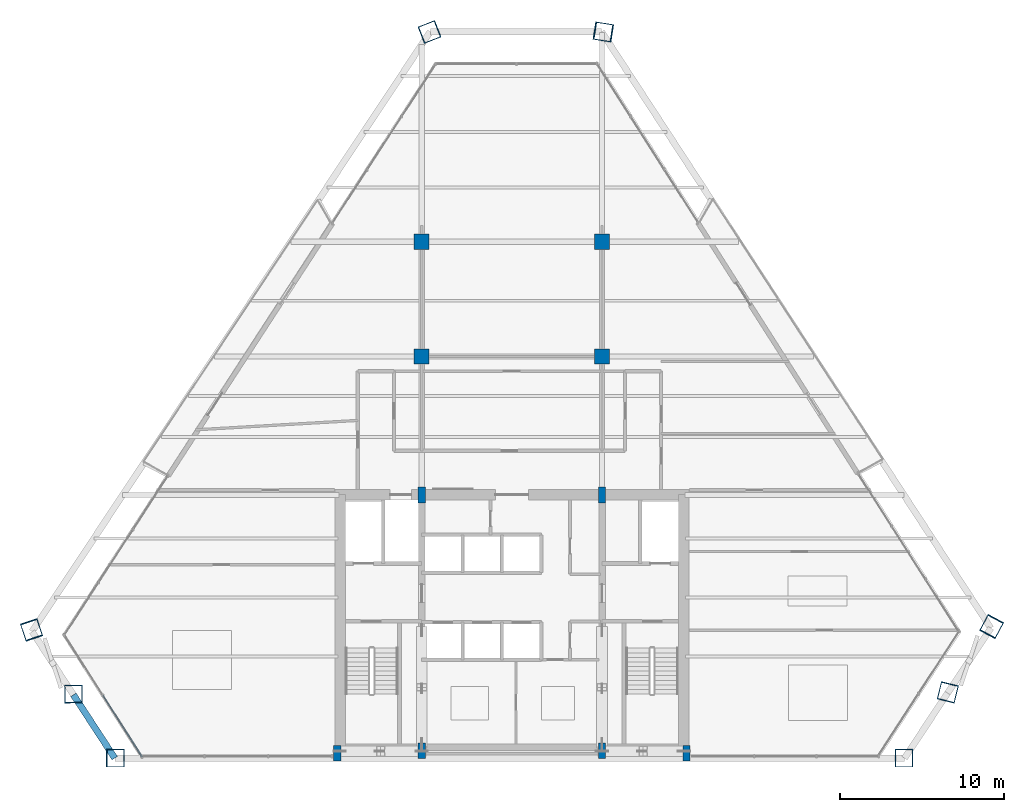
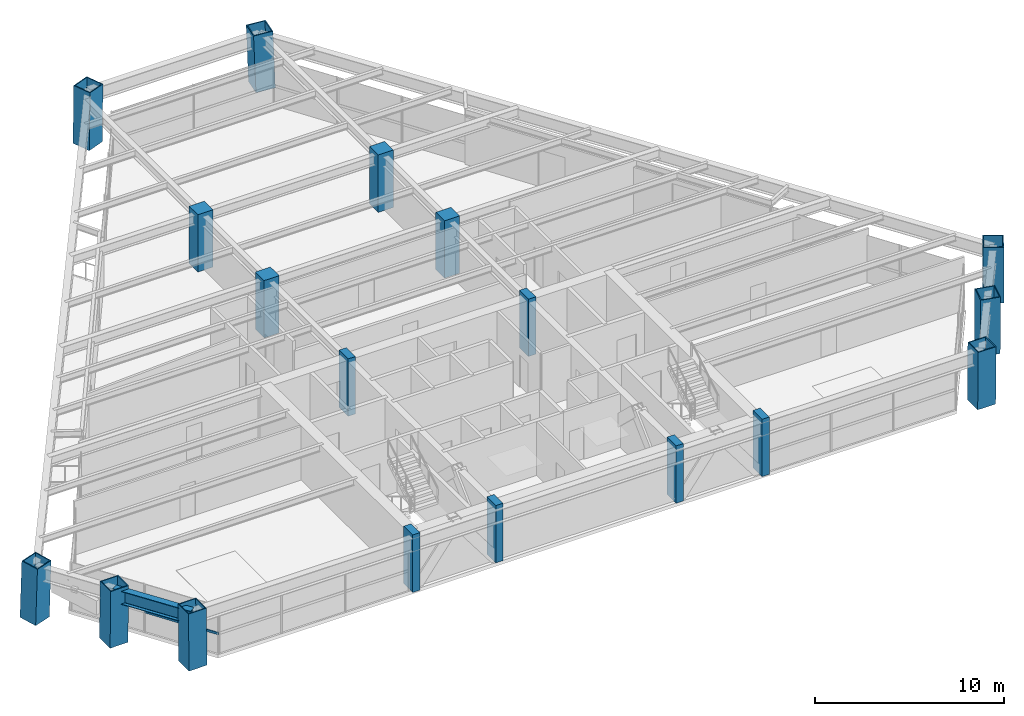
# One storey, part 1 of 15: 18 columns, 1 beam, 1 member, 1 element without a shape of its own.
"""IFC4 building model written with IfcOpenShell, lengths in metres."""

import ifcopenshell
import ifcopenshell.guid

model = None  # the IFC model being written
_history = None  # IfcOwnerHistory: only IFC2X3 demands one
_inside = {}  # id of a spatial element -> (the spatial element, [elements in it])
_under = {}  # id of a project, library or spatial element -> (it, [spatial elements below it])
_declared = {}  # id of a project -> (the project, [libraries it declares])
_typed = {}  # id of a type object -> (the type object, [elements of that type])
_made_of = {}  # id of a material, layer set ... -> (it, [elements and type objects made of it])


def new_model(schema):
    """Start an empty IFC model of exactly this schema.

    Asked for "IFC4X3", IfcOpenShell would pick the latest addendum, in which some entities
    have other attributes; the version numbers below select the first issue.
    IFC2X3 requires an IfcOwnerHistory on every rooted entity: one is made here for all.
    """
    global model, _history
    if schema == "IFC4X3":
        model = ifcopenshell.file(schema_version=(4, 3, 0, 0))
    else:
        model = ifcopenshell.file(schema=schema)
    _inside.clear()
    _under.clear()
    _declared.clear()
    _typed.clear()
    _made_of.clear()
    _history = None
    if model.schema == "IFC2X3":
        org = make("IfcOrganization", Name="unknown")
        user = make(
            "IfcPersonAndOrganization",
            ThePerson=make("IfcPerson", FamilyName="unknown"),
            TheOrganization=org,
        )
        app = make(
            "IfcApplication",
            ApplicationDeveloper=org,
            Version="unknown",
            ApplicationFullName="unknown",
            ApplicationIdentifier="unknown",
        )
        _history = make(
            "IfcOwnerHistory",
            OwningUser=user,
            OwningApplication=app,
            ChangeAction="ADDED",
            CreationDate=0,
        )
    return model


def make(cls, **values):
    """One entity of the class cls with the attributes given. An attribute that is None is left unset."""
    return model.create_entity(
        cls, **{name: value for name, value in values.items() if value is not None}
    )


def rooted(cls, **values):
    """An entity with a GlobalId (a new one), such as an element, a storey or a relation."""
    return make(cls, GlobalId=ifcopenshell.guid.new(), OwnerHistory=_history, **values)


def si_unit(unit_type, name, prefix=None):
    """IfcSIUnit, for example si_unit("LENGTHUNIT", "METRE", prefix="MILLI")."""
    return make("IfcSIUnit", UnitType=unit_type, Prefix=prefix, Name=name)


def assignment(units):
    """IfcUnitAssignment: the units of a project."""
    return None if units is None else make("IfcUnitAssignment", Units=units)


def point(xyz):
    """IfcCartesianPoint."""
    return None if xyz is None else make("IfcCartesianPoint", Coordinates=xyz)


def direction(xyz):
    """IfcDirection."""
    return None if xyz is None else make("IfcDirection", DirectionRatios=xyz)


def frame(location, z_axis=None, x_axis=None):
    """IfcAxis2Placement3D, a coordinate frame: its origin and axes. An axis left out is left unset."""
    return make(
        "IfcAxis2Placement3D",
        Location=point(location),
        Axis=direction(z_axis),
        RefDirection=direction(x_axis),
    )


def frame_2d(location, x_axis=None):
    """IfcAxis2Placement2D, a coordinate frame in the plane: its origin and x axis."""
    return make(
        "IfcAxis2Placement2D", Location=point(location), RefDirection=direction(x_axis)
    )


def origin():
    """The frame at (0, 0, 0) with its axes left unset."""
    return frame((0.0, 0.0, 0.0))


def origin_2d():
    """The frame at (0, 0) in the plane with its x axis left unset."""
    return frame_2d((0.0, 0.0))


def place(relative_to, where):
    """IfcLocalPlacement: puts the frame where relative to a parent placement (None: the world)."""
    return make(
        "IfcLocalPlacement", PlacementRelTo=relative_to, RelativePlacement=where
    )


def context(
    kind, dimensions, precision=None, world=None, true_north=None, identifier=None
):
    """IfcGeometricRepresentationContext, for example the 3D "Model" context."""
    return make(
        "IfcGeometricRepresentationContext",
        ContextIdentifier=identifier,
        ContextType=kind,
        CoordinateSpaceDimension=dimensions,
        Precision=precision,
        WorldCoordinateSystem=world,
        TrueNorth=true_north,
    )


def subcontext(parent, identifier, kind, view, scale=None):
    """IfcGeometricRepresentationSubContext, for example "Body" below "Model"."""
    return make(
        "IfcGeometricRepresentationSubContext",
        ContextIdentifier=identifier,
        ContextType=kind,
        ParentContext=parent,
        TargetScale=scale,
        TargetView=view,
    )


def project(units=None, contexts=None):
    """IfcProject with its units and contexts."""
    return rooted(
        "IfcProject",
        Name="project",
        RepresentationContexts=contexts,
        UnitsInContext=assignment(units),
    )


def spatial(cls, under=None, at=None, **own):
    """A site, building, storey or space (cls), placed at a placement, below another one or the project."""
    s = rooted(cls, ObjectPlacement=at, **own)
    if under is not None:
        _under.setdefault(under.id(), (under, []))[1].append(s)
    return s


def profile(cls, at=None, kind="AREA", **sizes):
    """A parametric profile (cls). Its sizes go by their IFC names, for example OverallWidth=200.0."""
    return make(cls, ProfileType=kind, Position=at, **sizes)


def rectangle(**sizes):
    """IfcRectangleProfileDef."""
    return profile("IfcRectangleProfileDef", **sizes)


def hollow_rectangle(**sizes):
    """IfcRectangleHollowProfileDef."""
    return profile("IfcRectangleHollowProfileDef", **sizes)


def i_section(**sizes):
    """IfcIShapeProfileDef."""
    return profile("IfcIShapeProfileDef", **sizes)


def extrude(swept, where, along, depth):
    """IfcExtrudedAreaSolid: the profile swept, set in the frame where, extruded along a direction by depth."""
    return make(
        "IfcExtrudedAreaSolid",
        SweptArea=swept,
        Position=where,
        ExtrudedDirection=direction(along),
        Depth=depth,
    )


def shape(context_of_items, identifier, shape_type, items):
    """IfcShapeRepresentation: the items that make up one representation, for example the "Body"."""
    return make(
        "IfcShapeRepresentation",
        ContextOfItems=context_of_items,
        RepresentationIdentifier=identifier,
        RepresentationType=shape_type,
        Items=items,
    )


def source(mapping_origin, context_of_items, identifier, shape_type, items):
    """IfcRepresentationMap: a shape defined once, which mapped items show again and again."""
    return make(
        "IfcRepresentationMap",
        MappingOrigin=mapping_origin,
        MappedRepresentation=shape(context_of_items, identifier, shape_type, items),
    )


def transform(
    local_origin,
    x_axis=None,
    y_axis=None,
    z_axis=None,
    scale=None,
    scale2=None,
    scale3=None,
    uniform=True,
):
    """IfcCartesianTransformationOperator3D, or its non-uniform kind. x_axis, y_axis, z_axis: its Axis1, 2, 3."""
    if uniform:
        return make(
            "IfcCartesianTransformationOperator3D",
            Axis1=direction(x_axis),
            Axis2=direction(y_axis),
            LocalOrigin=point(local_origin),
            Scale=scale,
            Axis3=direction(z_axis),
        )
    return make(
        "IfcCartesianTransformationOperator3DnonUniform",
        Axis1=direction(x_axis),
        Axis2=direction(y_axis),
        LocalOrigin=point(local_origin),
        Scale=scale,
        Axis3=direction(z_axis),
        Scale2=scale2,
        Scale3=scale3,
    )


def mapped(mapping_source, mapping_target):
    """IfcMappedItem: shows the shape of a source again, moved by a transform."""
    return make(
        "IfcMappedItem", MappingSource=mapping_source, MappingTarget=mapping_target
    )


def material(Name=None, Category=None):
    """IfcMaterial."""
    return make("IfcMaterial", Name=Name, Category=Category)


def material_profile(
    of_material, cross_section, Name=None, Category=None, Priority=None
):
    """IfcMaterialProfile: a cross section and its material."""
    return make(
        "IfcMaterialProfile",
        Name=Name,
        Material=of_material,
        Profile=cross_section,
        Priority=Priority,
        Category=Category,
    )


def profile_set(profiles, Name=None, composite=None):
    """IfcMaterialProfileSet."""
    return make(
        "IfcMaterialProfileSet",
        Name=Name,
        MaterialProfiles=profiles,
        CompositeProfile=composite,
    )


def made_of(thing, what):
    """Note that an element or type object is made of a material, layer set ...; save() writes the relation."""
    if what is not None:
        _made_of.setdefault(what.id(), (what, []))[1].append(thing)
    return thing


def type_object(cls, material=None, **own):
    """A type object (cls), such as IfcWallType, which elements share."""
    return made_of(rooted(cls, **own), material)


def element(
    cls,
    number,
    at=None,
    inside=None,
    cuts=None,
    type_object=None,
    material=None,
    context=None,
    identifier="Body",
    shape_type=None,
    held_by="IfcProductDefinitionShape",
    body=None,
    shapes=None,
    **own,
):
    """One element of the class cls, such as IfcWall. Its Tag is "e" and its number.

    at: its placement. inside: the storey or other place that contains it. cuts: it is an
    opening in that element (IfcRelVoidsElement). A single representation is given by context,
    identifier, shape_type and body (its items); several are given by shapes. held_by: the class
    of the entity that holds the representations. save() writes the other relations.
    """
    e = rooted(cls, Tag="e%d" % number, ObjectPlacement=at, **own)
    if body is not None:
        shapes = [shape(context, identifier, shape_type, body)]
    if shapes is not None:
        e.Representation = make(held_by, Representations=shapes)
    if inside is not None:
        _inside.setdefault(inside.id(), (inside, []))[1].append(e)
    if cuts is not None:
        rooted(
            "IfcRelVoidsElement", RelatingBuildingElement=cuts, RelatedOpeningElement=e
        )
    if type_object is not None:
        _typed.setdefault(type_object.id(), (type_object, []))[1].append(e)
    return made_of(e, material)


def aggregate(whole, parts):
    """IfcRelAggregates: a whole, such as a stair, and the parts it consists of."""
    return rooted("IfcRelAggregates", RelatingObject=whole, RelatedObjects=parts)


def save(model, path):
    """Write the relations noted so far, then the file.

    IfcRelAggregates (storeys below a building ...), IfcRelContainedInSpatialStructure (elements
    in a storey), IfcRelDefinesByType, IfcRelAssociatesMaterial and IfcRelDeclares: one each for
    every whole, place, type object, material and project.
    """
    for whole, parts in _under.values():
        aggregate(whole, parts)
    for where, things in _inside.values():
        rooted(
            "IfcRelContainedInSpatialStructure",
            RelatedElements=things,
            RelatingStructure=where,
        )
    for kind, things in _typed.values():
        rooted("IfcRelDefinesByType", RelatedObjects=things, RelatingType=kind)
    for what, things in _made_of.values():
        rooted("IfcRelAssociatesMaterial", RelatedObjects=things, RelatingMaterial=what)
    for by, libraries in _declared.values():
        rooted("IfcRelDeclares", RelatingContext=by, RelatedDefinitions=libraries)
    model.write(path)


model = new_model("IFC4")

# Units and contexts
model_context = context("Model", 3, precision=1e-05, world=origin(), true_north=direction((0.0, 1.0)))
body_context = subcontext(model_context, "Body", "Model", "MODEL_VIEW")
ifc_project = project(units=[si_unit("LENGTHUNIT", "METRE"), si_unit("AREAUNIT", "SQUARE_METRE"), si_unit("VOLUMEUNIT", "CUBIC_METRE"), si_unit("PLANEANGLEUNIT", "RADIAN"), si_unit("MASSUNIT", "GRAM", prefix="KILO")], contexts=[model_context])

# Site, building, storey
site_placement = place(None, origin())
site = spatial("IfcSite", under=ifc_project, at=site_placement, CompositionType="ELEMENT")
building_placement = place(site_placement, origin())
building = spatial("IfcBuilding", under=site, at=building_placement, Name="Varnakhor Terracotta Tower", CompositionType="ELEMENT")
storey_placement = place(building_placement, frame((0.0, 0.0, 140.39990234375)))
storey = spatial("IfcBuildingStorey", under=building, at=storey_placement, Name="L35", CompositionType="ELEMENT", Elevation=140.39990234375)

# Columns
ifc_material_1 = material(Name="Concrete C50/60", Category="concrete")
ifc_material_profile_1 = material_profile(ifc_material_1, rectangle(XDim=0.449951171875, YDim=0.949951171875, at=origin_2d()), Name="RC PILASTER 950x450")
ifc_profile_set_1 = profile_set([ifc_material_profile_1], Name="Concrete C50/60")
column_type_1 = type_object("IfcColumnType", Name="COL-PIL-950x450", PredefinedType="PILASTER", material=ifc_profile_set_1)
shared_shape_1 = source(origin(), body_context, "Body", "SweptSolid", [
    extrude(rectangle(XDim=0.449951171875, YDim=0.949951171875, at=origin_2d()), origin(), (0.0, 0.0, 1.0), 3.7001953125),
])
for number, where, z_axis, x_axis, name in (
    (1, (-10.64990234375, 0.300048828125, 0.0), (0.0, 0.0, 1.0), (1.0, 0.0, 0.0), "L35 Core Pilaster CP1"),
    (2, (-5.5, 0.449951171875, 0.0), (0.0, 0.0, 1.0), (1.0, 0.0, 0.0), "L35 Core Pilaster CP2"),
    (3, (5.5, 0.449951171875, 0.0), (0.0, 0.0, 1.0), (1.0, 0.0, 0.0), "L35 Core Pilaster CP3"),
    (4, (10.64990234375, 0.300048828125, 0.0), (0.0, 0.0, 1.0), (1.0, 0.0, 0.0), "L35 Core Pilaster CP4"),
    (5, (-5.5, 16.050048828125, 0.0), (0.0, 0.0, 1.0), (1.0, 0.0, 0.0), "L35 Core Pilaster CP5"),
    (6, (5.5, 16.050048828125, 0.0), (0.0, 0.0, 1.0), (1.0, 0.0, 0.0), "L35 Core Pilaster CP6"),
):
    element("IfcColumn", number, at=place(storey_placement, frame(where, z_axis=z_axis, x_axis=x_axis)), inside=storey, type_object=column_type_1, Name=name, PredefinedType="PILASTER", context=body_context, shape_type="MappedRepresentation", body=[
        mapped(shared_shape_1, transform((0.0, 0.0, 0.0), scale=1.0)),
    ])
ifc_material_2 = material(Name="Steel S460", Category="steel")
ifc_material_profile_2 = material_profile(ifc_material_2, hollow_rectangle(XDim=1.10009765625, YDim=1.10009765625, WallThickness=0.054931640625, at=origin_2d()), Name="BOX 1100x1100x55")
ifc_profile_set_2 = profile_set([ifc_material_profile_2], Name="Steel S460")
column_type_2 = type_object("IfcColumnType", Name="COL-MEGA-1100", PredefinedType="COLUMN", material=ifc_profile_set_2)
shared_shape_2 = source(origin(), body_context, "Body", "SweptSolid", [
    extrude(hollow_rectangle(XDim=1.10009765625, YDim=1.10009765625, WallThickness=0.054931640625, at=origin_2d()), origin(), (0.0, 0.0, 1.0), 3.691650390625),
])
for number, where, z_axis, x_axis, name in (
    (7, (-24.18115234375, 0.0, 0.00439453125), (-0.010779796898, 0.0, 0.999941896301), (0.0, -1.0, 0.0), "L35 Perimeter Mega-Column M1"),
    (8, (23.912841796875, 0.0, 0.00439453125), (0.008729826062, 0.0, 0.999961894342), (0.0, 1.0, 0.0), "L35 Perimeter Mega-Column M2"),
):
    element("IfcColumn", number, at=place(storey_placement, frame(where, z_axis=z_axis, x_axis=x_axis)), inside=storey, type_object=column_type_2, Name=name, PredefinedType="COLUMN", context=body_context, shape_type="MappedRepresentation", body=[
        mapped(shared_shape_2, transform((0.0, 0.0, 0.0), scale=1.0)),
    ])
shared_shape_3 = source(origin(), body_context, "Body", "SweptSolid", [
    extrude(hollow_rectangle(XDim=1.10009765625, YDim=1.10009765625, WallThickness=0.054931640625, at=origin_2d()), origin(), (0.0, 0.0, 1.0), 3.69189453125),
])
for number, where, z_axis, x_axis, name in (
    (9, (26.591796875, 4.022705078125, 0.00439453125), (-0.003769374608, -0.015275886571, 0.999876211891), (0.970879659482, -0.239567708184, 0.0), "L35 Perimeter Mega-Column M3"),
    (10, (-5.031494140625, 44.288330078125, 0.00439453125), (0.014879053069, 0.005819362978, 0.999872366252), (-0.364243277975, 0.931303835732, 0.0), "L35 Perimeter Mega-Column M6"),
    (11, (-26.741943359375, 3.921142578125, 0.00439453125), (0.000132257911, -0.016135465126, 0.999869806161), (0.999966408573, 0.008196445972, 0.0), "L35 Perimeter Mega-Column M8"),
):
    element("IfcColumn", number, at=place(storey_placement, frame(where, z_axis=z_axis, x_axis=x_axis)), inside=storey, type_object=column_type_2, Name=name, PredefinedType="COLUMN", context=body_context, shape_type="MappedRepresentation", body=[
        mapped(shared_shape_3, transform((0.0, 0.0, 0.0), scale=1.0)),
    ])
shared_shape_4 = source(origin(), body_context, "Body", "SweptSolid", [
    extrude(hollow_rectangle(XDim=1.10009765625, YDim=1.10009765625, WallThickness=0.054931640625, at=origin_2d()), origin(), (0.0, 0.0, 1.0), 3.693603515625),
])
for number, where, z_axis, x_axis, name in (
    (12, (29.270751953125, 8.04541015625, 0.00439453125), (-0.016326181934, -0.030537230986, 0.999400286826), (0.881876935736, -0.471479660448, 0.0), "L35 Perimeter Mega-Column M4"),
    (13, (-29.302734375, 7.84228515625, 0.00439453125), (0.01097243821, -0.032322423402, 0.999417263482), (0.946926081633, 0.321451389675, 0.0), "L35 Perimeter Mega-Column M7"),
):
    element("IfcColumn", number, at=place(storey_placement, frame(where, z_axis=z_axis, x_axis=x_axis)), inside=storey, type_object=column_type_2, Name=name, PredefinedType="COLUMN", context=body_context, shape_type="MappedRepresentation", body=[
        mapped(shared_shape_4, transform((0.0, 0.0, 0.0), scale=1.0)),
    ])
shared_shape_5 = source(origin(), body_context, "Body", "SweptSolid", [
    extrude(hollow_rectangle(XDim=1.10009765625, YDim=1.10009765625, WallThickness=0.054931640625, at=origin_2d()), origin(), (0.0, 0.0, 1.0), 3.69384765625),
])
column_placement = place(storey_placement, frame((5.600830078125, 44.288330078125, 0.00439453125), z_axis=(-0.036747028258, 0.005816076415, 0.999307674928), x_axis=(-0.156327454925, -0.98770528339, 0.0)))
element("IfcColumn", 14, at=column_placement, inside=storey, type_object=column_type_2, Name="L35 Perimeter Mega-Column M5", PredefinedType="COLUMN", context=body_context, shape_type="MappedRepresentation", body=[
    mapped(shared_shape_5, transform((0.0, 0.0, 0.0), scale=1.0)),
])
ifc_material_profile_3 = material_profile(ifc_material_1, rectangle(XDim=0.919921875, YDim=0.919921875, at=origin_2d()), Name="RC 920x920")
ifc_profile_set_3 = profile_set([ifc_material_profile_3], Name="Concrete C50/60")
column_type_3 = type_object("IfcColumnType", Name="COL-RC-920", PredefinedType="COLUMN", material=ifc_profile_set_3)
shared_shape_6 = source(origin(), body_context, "Body", "SweptSolid", [
    extrude(rectangle(XDim=0.919921875, YDim=0.919921875, at=origin_2d()), origin(), (0.0, 0.0, 1.0), 3.7001953125),
])
for number, where, z_axis, x_axis, name in (
    (15, (-5.5, 24.5, 0.0), (0.0, 0.0, 1.0), (1.0, 0.0, 0.0), "L35 Interior Tower Column IC1"),
    (16, (5.5, 24.5, 0.0), (0.0, 0.0, 1.0), (1.0, 0.0, 0.0), "L35 Interior Tower Column IC2"),
    (17, (-5.5, 31.5, 0.0), (0.0, 0.0, 1.0), (1.0, 0.0, 0.0), "L35 Interior Tower Column IC3"),
    (18, (5.5, 31.5, 0.0), (0.0, 0.0, 1.0), (1.0, 0.0, 0.0), "L35 Interior Tower Column IC4"),
):
    element("IfcColumn", number, at=place(storey_placement, frame(where, z_axis=z_axis, x_axis=x_axis)), inside=storey, type_object=column_type_3, Name=name, PredefinedType="COLUMN", context=body_context, shape_type="MappedRepresentation", body=[
        mapped(shared_shape_6, transform((0.0, 0.0, 0.0), scale=1.0)),
    ])

# Beam
ifc_material_3 = material(Name="Steel S355", Category="steel")
ifc_material_profile_4 = material_profile(ifc_material_3, i_section(OverallWidth=0.39990234375, OverallDepth=0.85498046875, WebThickness=0.01806640625, FlangeThickness=0.029052734375, FilletRadius=0.01806640625, at=origin_2d()), Name="W33X201")
ifc_profile_set_4 = profile_set([ifc_material_profile_4], Name="Steel S355")
beam_type = type_object("IfcBeamType", Name="BM-W33X201", PredefinedType="BEAM", material=ifc_profile_set_4)
shared_shape_7 = source(origin(), body_context, "Body", "SweptSolid", [
    extrude(i_section(OverallWidth=0.39990234375, OverallDepth=0.85498046875, WebThickness=0.01806640625, FlangeThickness=0.029052734375, FilletRadius=0.01806640625, at=origin_2d()), origin(), (0.0, 0.0, 1.0), 4.611328125),
])
beam_placement = place(storey_placement, frame((-26.741455078125, 3.861572265625, 3.04248046875), z_axis=(0.546585892028, -0.837403046708, 0.0), x_axis=(0.837403046708, 0.546585892028, 0.0)))
element("IfcBeam", 19, at=beam_placement, inside=storey, type_object=beam_type, Name="L35 Perimeter Spandrel 8", PredefinedType="BEAM", context=body_context, shape_type="MappedRepresentation", body=[
    mapped(shared_shape_7, transform((0.0, 0.0, 0.0), scale=1.0)),
])

# Curtain wall, member
ifc_material_4 = material(Name="Anodised Aluminium Curtain Wall System", Category="aluminium")
curtain_wall_type = type_object("IfcCurtainWallType", Name="CW-SYS-MID-OFFICE", PredefinedType="NOTDEFINED", material=ifc_material_4)
curtain_wall_placement = place(storey_placement, origin())
curtain_wall = element("IfcCurtainWall", 20, at=curtain_wall_placement, inside=storey, type_object=curtain_wall_type, Name="L35 Facet Curtain Wall 6", PredefinedType="NOTDEFINED")
ifc_material_5 = material(Name="Anodised Aluminium 6063-T6", Category="aluminium")
ifc_material_profile_5 = material_profile(ifc_material_5, rectangle(XDim=0.070068359375, YDim=0.155029296875, at=origin_2d()), Name="ALU TRANSOM 70x155")
ifc_profile_set_5 = profile_set([ifc_material_profile_5], Name="Anodised Aluminium 6063-T6")
member_type = type_object("IfcMemberType", Name="CWT-03", PredefinedType="USERDEFINED", material=ifc_profile_set_5)
shared_shape_8 = source(origin(), body_context, "Body", "SweptSolid", [
    extrude(rectangle(XDim=0.070068359375, YDim=0.155029296875, at=origin_2d()), origin(), (0.0, 0.0, 1.0), 4.428466796875),
])
member_placement = place(storey_placement, frame((-22.55517578125, 0.08984375, 1.281005859375), z_axis=(-0.537406903372, 0.843323081748, 0.0), x_axis=(-0.843323081748, -0.537406903372, 0.0)))
member = element("IfcMember", 21, at=member_placement, type_object=member_type, Name="L35 Facet Curtain Wall 6 Transom 1", ObjectType="TRANSOM", PredefinedType="USERDEFINED", context=body_context, shape_type="MappedRepresentation", body=[
    mapped(shared_shape_8, transform((0.0, 0.0, 0.0), scale=1.0)),
])
aggregate(curtain_wall, [member])

save(model, "model.ifc")
